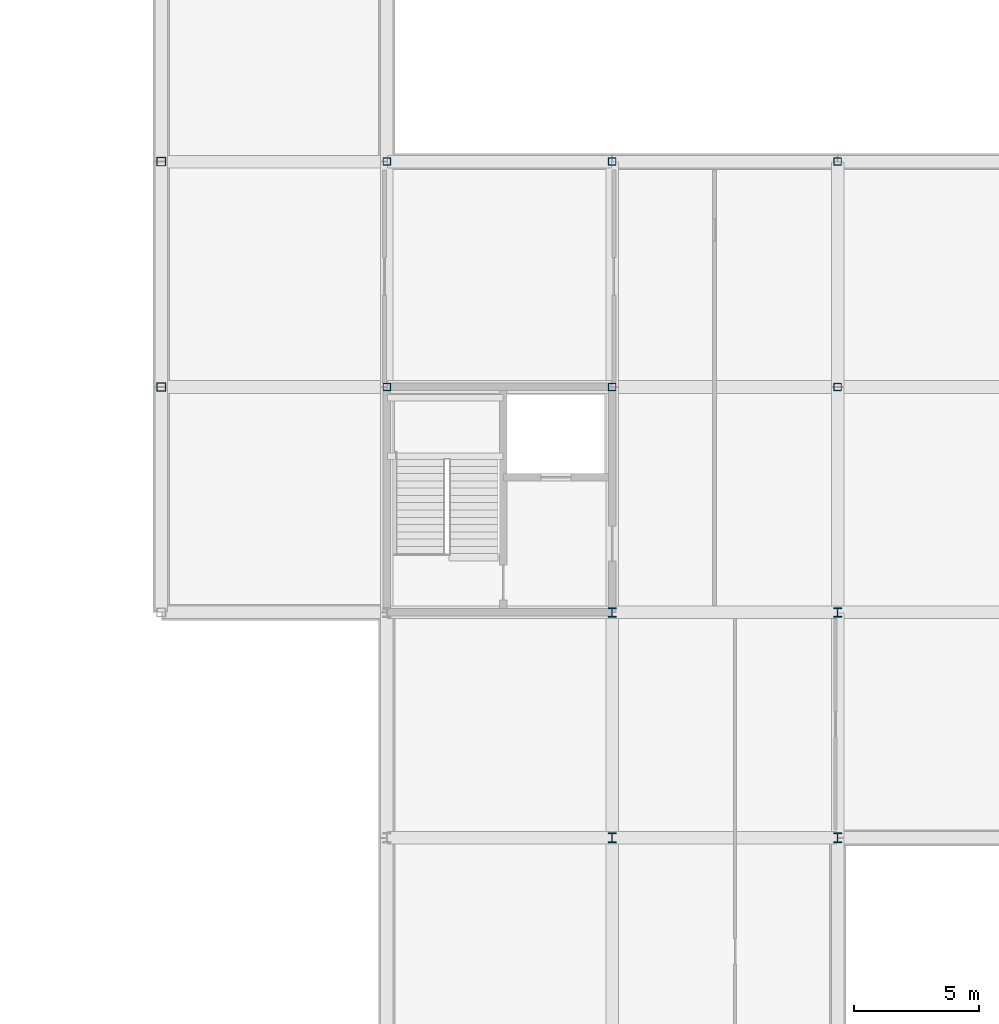
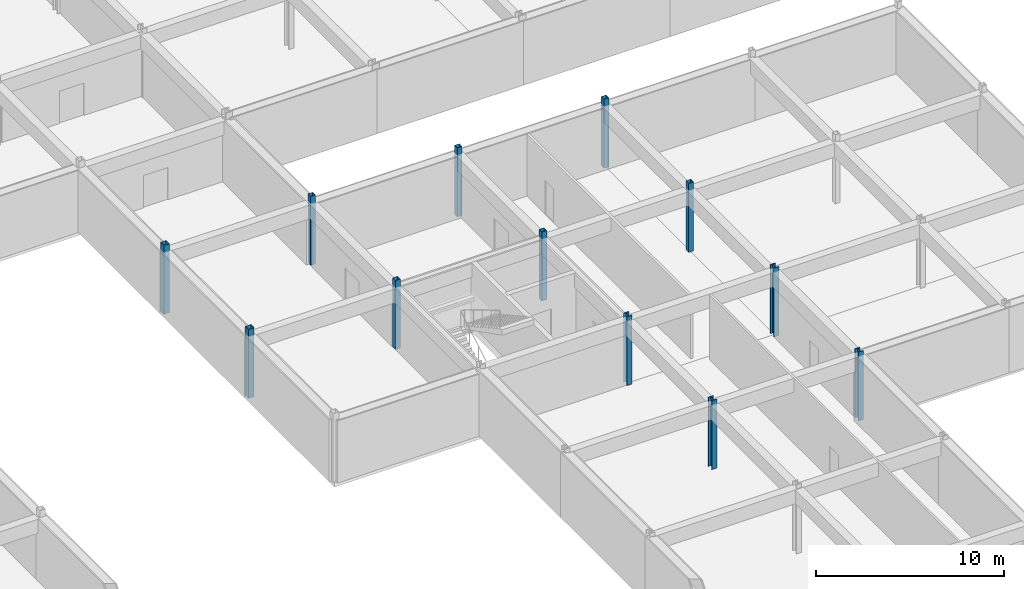
# One storey, part 5 of 35: 12 columns.
"""IFC4 building model written with IfcOpenShell, lengths in metres."""

from ifc_helpers import new_model, si_unit, direction, frame, origin, origin_2d, place, context, subcontext, project, spatial, hollow_rectangle, i_section, extrude, material, material_profile, profile_set, type_object, element, save


model = new_model("IFC4")

# Units and contexts
model_context = context("Model", 3, precision=1e-05, world=origin(), true_north=direction((0.0, 1.0)))
body_context = subcontext(model_context, "Body", "Model", "MODEL_VIEW")
ifc_project = project(units=[si_unit("LENGTHUNIT", "METRE"), si_unit("AREAUNIT", "SQUARE_METRE"), si_unit("VOLUMEUNIT", "CUBIC_METRE"), si_unit("PLANEANGLEUNIT", "RADIAN"), si_unit("MASSUNIT", "GRAM", prefix="KILO")], contexts=[model_context])

# Site, building, storey
site_placement = place(None, origin())
site = spatial("IfcSite", under=ifc_project, at=site_placement, CompositionType="ELEMENT")
building_placement = place(site_placement, origin())
building = spatial("IfcBuilding", under=site, at=building_placement, Name="Palais des Congres Ocreval", CompositionType="ELEMENT")
storey_placement = place(building_placement, frame((0.0, 0.0, -4.47998046875)))
storey = spatial("IfcBuildingStorey", under=building, at=storey_placement, Name="B1", CompositionType="ELEMENT", Elevation=-4.47998046875)

# Columns
ifc_material = material(Name="Steel S355", Category="steel")
ifc_material_profile_1 = material_profile(ifc_material, i_section(OverallWidth=0.30810546875, OverallDepth=0.39501953125, WebThickness=0.02099609375, FlangeThickness=0.0400390625, at=origin_2d()), Name="HEM 360")
ifc_profile_set_1 = profile_set([ifc_material_profile_1], Name="Steel S355")
column_type_1 = type_object("IfcColumnType", Name="Column HEM 360 Steel S355", PredefinedType="COLUMN", material=ifc_profile_set_1)
for number, where, z_axis, x_axis, name in (
    (1, (117.0, 36.0, 0.0), (0.0, 0.0, 1.0), (1.0, 0.0, 0.0), "Column C07 B1"),
    (2, (117.0, 45.0, 0.0), (0.0, 0.0, 1.0), (1.0, 0.0, 0.0), "Column C07 B1"),
    (3, (126.0, 36.0, 0.0), (0.0, 0.0, 1.0), (1.0, 0.0, 0.0), "Column C07 B1"),
    (4, (126.0, 45.0, 0.0), (0.0, 0.0, 1.0), (1.0, 0.0, 0.0), "Column C07 B1"),
):
    element("IfcColumn", number, at=place(storey_placement, frame(where, z_axis=z_axis, x_axis=x_axis)), inside=storey, type_object=column_type_1, Name=name, PredefinedType="COLUMN", context=body_context, shape_type="SweptSolid", body=[
        extrude(i_section(OverallWidth=0.30810546875, OverallDepth=0.39501953125, WebThickness=0.02099609375, FlangeThickness=0.0400390625, at=origin_2d()), origin(), (0.0, 0.0, 1.0), 4.47998046875),
    ])
ifc_material_profile_2 = material_profile(ifc_material, hollow_rectangle(XDim=0.300048828125, YDim=0.300048828125, WallThickness=0.012451171875, at=origin_2d()), Name="RHS 300x300x12.5")
ifc_profile_set_2 = profile_set([ifc_material_profile_2], Name="Steel S355")
column_type_2 = type_object("IfcColumnType", Name="Column RHS 300x300x12.5 Steel S355", PredefinedType="COLUMN", material=ifc_profile_set_2)
for number, where, z_axis, x_axis, name in (
    (5, (108.0, 54.0, 0.0), (0.0, 0.0, 1.0), (1.0, 0.0, 0.0), "Column C19 B1"),
    (6, (108.0, 63.0, 0.0), (0.0, 0.0, 1.0), (1.0, 0.0, 0.0), "Column C19 B1"),
    (7, (117.0, 54.0, 0.0), (0.0, 0.0, 1.0), (1.0, 0.0, 0.0), "Column C19 B1"),
    (8, (117.0, 63.0, 0.0), (0.0, 0.0, 1.0), (1.0, 0.0, 0.0), "Column C19 B1"),
    (9, (126.0, 54.0, 0.0), (0.0, 0.0, 1.0), (1.0, 0.0, 0.0), "Column C19 B1"),
    (10, (126.0, 63.0, 0.0), (0.0, 0.0, 1.0), (1.0, 0.0, 0.0), "Column C19 B1"),
):
    element("IfcColumn", number, at=place(storey_placement, frame(where, z_axis=z_axis, x_axis=x_axis)), inside=storey, type_object=column_type_2, Name=name, PredefinedType="COLUMN", context=body_context, shape_type="SweptSolid", body=[
        extrude(hollow_rectangle(XDim=0.300048828125, YDim=0.300048828125, WallThickness=0.012451171875, at=origin_2d()), origin(), (0.0, 0.0, 1.0), 4.47998046875),
    ])
ifc_material_profile_3 = material_profile(ifc_material, hollow_rectangle(XDim=0.35009765625, YDim=0.35009765625, WallThickness=0.01611328125, at=origin_2d()), Name="RHS 350x350x16")
ifc_profile_set_3 = profile_set([ifc_material_profile_3], Name="Steel S355")
column_type_3 = type_object("IfcColumnType", Name="Column RHS 350x350x16 Steel S355", PredefinedType="COLUMN", material=ifc_profile_set_3)
for number, where, z_axis, x_axis, name in (
    (11, (99.0, 54.0, 0.0), (0.0, 0.0, 1.0), (1.0, 0.0, 0.0), "Column C18 B1"),
    (12, (99.0, 63.0, 0.0), (0.0, 0.0, 1.0), (1.0, 0.0, 0.0), "Column C18 B1"),
):
    element("IfcColumn", number, at=place(storey_placement, frame(where, z_axis=z_axis, x_axis=x_axis)), inside=storey, type_object=column_type_3, Name=name, PredefinedType="COLUMN", context=body_context, shape_type="SweptSolid", body=[
        extrude(hollow_rectangle(XDim=0.35009765625, YDim=0.35009765625, WallThickness=0.01611328125, at=origin_2d()), origin(), (0.0, 0.0, 1.0), 4.47998046875),
    ])

save(model, "model.ifc")
